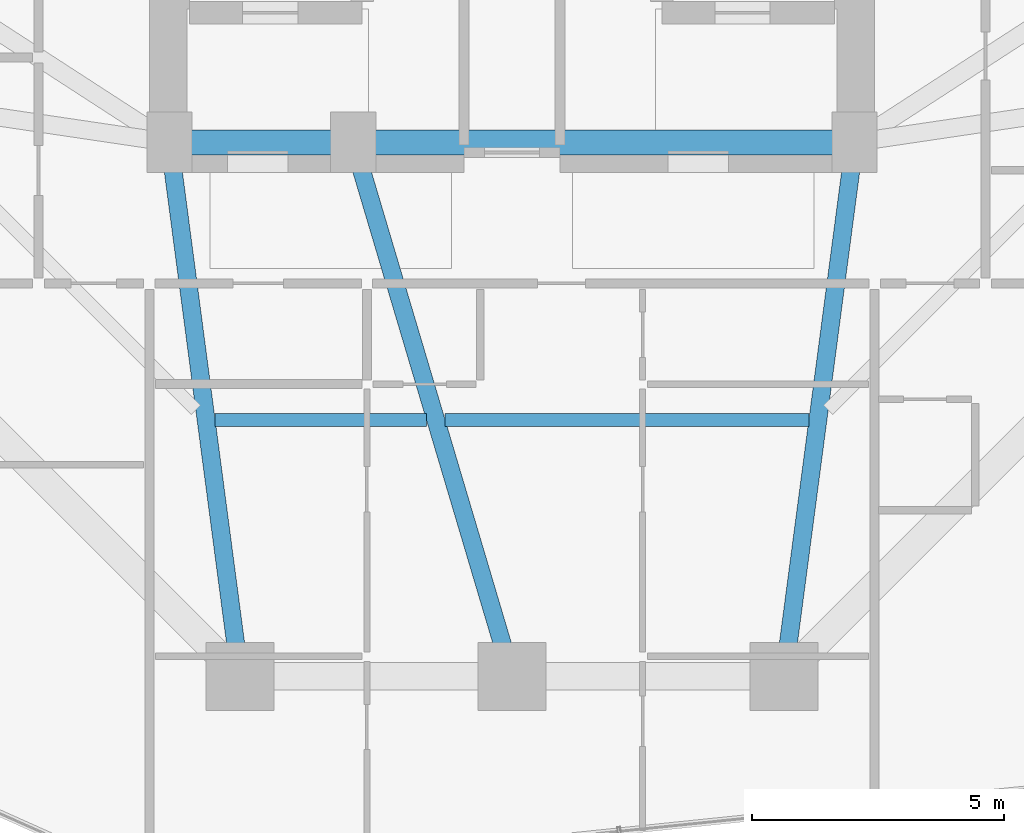
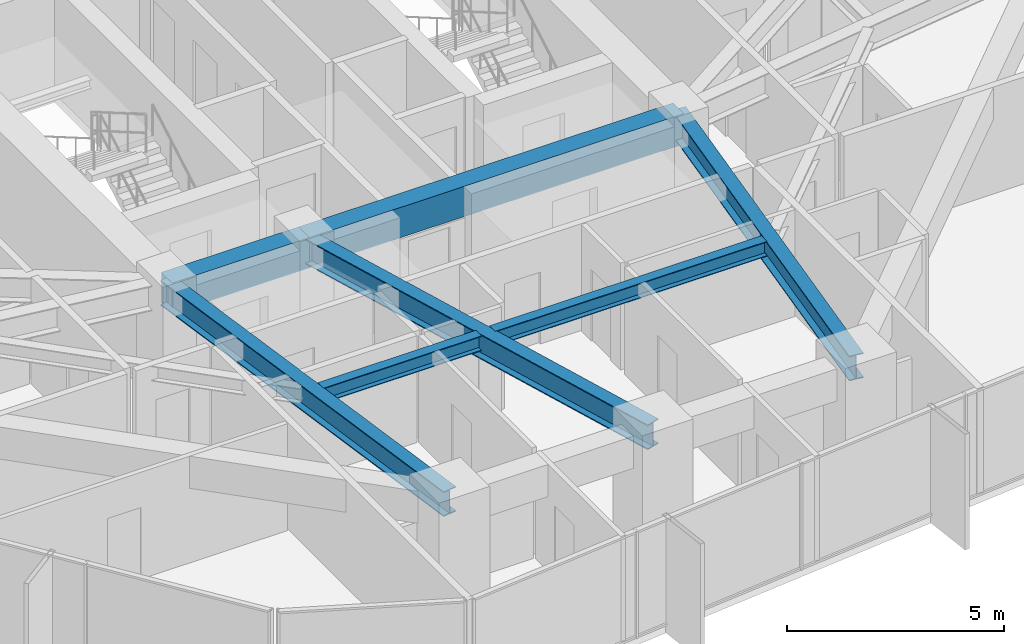
# One storey, part 9 of 37: 7 beams.
"""IFC4 building model written with IfcOpenShell, lengths in metres."""

from ifc_helpers import new_model, si_unit, direction, frame, origin, origin_2d, place, context, subcontext, project, spatial, rectangle, i_section, extrude, material, material_profile, profile_set, type_object, element, save


model = new_model("IFC4")

# Units and contexts
model_context = context("Model", 3, precision=1e-05, world=origin(), true_north=direction((0.0, 1.0)))
body_context = subcontext(model_context, "Body", "Model", "MODEL_VIEW")
ifc_project = project(units=[si_unit("LENGTHUNIT", "METRE"), si_unit("AREAUNIT", "SQUARE_METRE"), si_unit("VOLUMEUNIT", "CUBIC_METRE"), si_unit("PLANEANGLEUNIT", "RADIAN"), si_unit("MASSUNIT", "GRAM", prefix="KILO")], contexts=[model_context])

# Site, building, storey
site_placement = place(None, origin())
site = spatial("IfcSite", under=ifc_project, at=site_placement, CompositionType="ELEMENT")
building_placement = place(site_placement, origin())
building = spatial("IfcBuilding", under=site, at=building_placement, Name="Veraguas Prism Commons", CompositionType="ELEMENT")
storey_placement = place(building_placement, frame((0.0, 0.0, 43.550048828125)))
storey = spatial("IfcBuildingStorey", under=building, at=storey_placement, Name="L11", CompositionType="ELEMENT", Elevation=43.550048828125)

# Beams
ifc_material_1 = material(Name="Concrete C50/60", Category="concrete")
ifc_material_profile_1 = material_profile(ifc_material_1, rectangle(XDim=0.5, YDim=0.85009765625, at=origin_2d()), Name="RC500X850")
ifc_profile_set_1 = profile_set([ifc_material_profile_1], Name="Concrete C50/60")
beam_type_1 = type_object("IfcBeamType", Name="Core Coupling Beam RC 500x850", PredefinedType="BEAM", material=ifc_profile_set_1)
beam_1_placement = place(storey_placement, frame((17.199951171875, 17.0, 2.574951171875), z_axis=(1.0, 0.0, 0.0), x_axis=(0.0, 1.0, 0.0)))
element("IfcBeam", 1, at=beam_1_placement, inside=storey, type_object=beam_type_1, Name="Core Coupling Beam L11-CRS1", PredefinedType="BEAM", context=body_context, shape_type="SweptSolid", body=[
    extrude(rectangle(XDim=0.5, YDim=0.85009765625, at=origin_2d()), origin(), (0.0, 0.0, 1.0), 3.650146484375),
])
beam_2_placement = place(storey_placement, frame((20.85009765625, 17.0, 2.574951171875), z_axis=(1.0, 0.0, 0.0), x_axis=(0.0, 1.0, 0.0)))
element("IfcBeam", 2, at=beam_2_placement, inside=storey, type_object=beam_type_1, Name="Core Coupling Beam L11-CRS2", PredefinedType="BEAM", context=body_context, shape_type="SweptSolid", body=[
    extrude(rectangle(XDim=0.5, YDim=0.85009765625, at=origin_2d()), origin(), (0.0, 0.0, 1.0), 9.949951171875),
])
ifc_material_2 = material(Name="Steel ASTM A992 Grade 50", Category="steel")
ifc_material_profile_2 = material_profile(ifc_material_2, i_section(OverallWidth=0.260986328125, OverallDepth=0.419921875, WebThickness=0.01171875, FlangeThickness=0.019287109375, at=origin_2d()), Name="W410X114")
ifc_profile_set_2 = profile_set([ifc_material_profile_2], Name="Steel ASTM A992 Grade 50")
beam_type_2 = type_object("IfcBeamType", Name="Lower Floor Joist W410x114", PredefinedType="JOIST", material=ifc_profile_set_2)
beam_3_placement = place(storey_placement, frame((18.10546875, 11.488037109375, 2.7900390625), z_axis=(1.0, 0.0, 0.0), x_axis=(0.0, 1.0, 0.0)))
element("IfcBeam", 3, at=beam_3_placement, inside=storey, type_object=beam_type_2, Name="Composite Floor Joist L11-JS10", PredefinedType="JOIST", context=body_context, shape_type="SweptSolid", body=[
    extrude(i_section(OverallWidth=0.260986328125, OverallDepth=0.419921875, WebThickness=0.01171875, FlangeThickness=0.019287109375, at=origin_2d()), origin(), (0.0, 0.0, 1.0), 4.198974609375),
])
beam_4_placement = place(storey_placement, frame((22.671630859375, 11.488037109375, 2.7900390625), z_axis=(1.0, 0.0, 0.0), x_axis=(0.0, 1.0, 0.0)))
element("IfcBeam", 4, at=beam_4_placement, inside=storey, type_object=beam_type_2, Name="Composite Floor Joist L11-JS11", PredefinedType="JOIST", context=body_context, shape_type="SweptSolid", body=[
    extrude(i_section(OverallWidth=0.260986328125, OverallDepth=0.419921875, WebThickness=0.01171875, FlangeThickness=0.019287109375, at=origin_2d()), origin(), (0.0, 0.0, 1.0), 7.222900390625),
])
ifc_material_profile_3 = material_profile(ifc_material_2, i_section(OverallWidth=0.35595703125, OverallDepth=0.700927734375, WebThickness=0.016845703125, FlangeThickness=0.02734375, at=origin_2d()), Name="W690X240")
ifc_profile_set_3 = profile_set([ifc_material_profile_3], Name="Steel ASTM A992 Grade 50")
beam_type_3 = type_object("IfcBeamType", Name="Zone 1 Radial Girder W690x240", PredefinedType="BEAM", material=ifc_profile_set_3)
beam_5_placement = place(storey_placement, frame((18.60009765625, 6.39990234375, 2.6494140625), z_axis=(-0.130950648891, 0.991388888154, 0.0), x_axis=(-0.991388888154, -0.130950648891, 0.0)))
element("IfcBeam", 5, at=beam_5_placement, inside=storey, type_object=beam_type_3, Name="Radial Floor Girder L11-RD10", PredefinedType="BEAM", context=body_context, shape_type="SweptSolid", body=[
    extrude(i_section(OverallWidth=0.35595703125, OverallDepth=0.700927734375, WebThickness=0.016845703125, FlangeThickness=0.02734375, at=origin_2d()), origin(), (0.0, 0.0, 1.0), 10.692138671875),
])
beam_6_placement = place(storey_placement, frame((24.0, 6.39990234375, 2.6494140625), z_axis=(-0.28484745997, 0.958572858237, 0.0), x_axis=(-0.958572858237, -0.28484745997, 0.0)))
element("IfcBeam", 6, at=beam_6_placement, inside=storey, type_object=beam_type_3, Name="Radial Floor Girder L11-RD11", PredefinedType="BEAM", context=body_context, shape_type="SweptSolid", body=[
    extrude(i_section(OverallWidth=0.35595703125, OverallDepth=0.700927734375, WebThickness=0.016845703125, FlangeThickness=0.02734375, at=origin_2d()), origin(), (0.0, 0.0, 1.0), 11.05810546875),
])
beam_7_placement = place(storey_placement, frame((29.39990234375, 6.39990234375, 2.6494140625), z_axis=(0.130950648891, 0.991388888154, 0.0), x_axis=(-0.991388888154, 0.130950648891, 0.0)))
element("IfcBeam", 7, at=beam_7_placement, inside=storey, type_object=beam_type_3, Name="Radial Floor Girder L11-RD12", PredefinedType="BEAM", context=body_context, shape_type="SweptSolid", body=[
    extrude(i_section(OverallWidth=0.35595703125, OverallDepth=0.700927734375, WebThickness=0.016845703125, FlangeThickness=0.02734375, at=origin_2d()), origin(), (0.0, 0.0, 1.0), 10.692138671875),
])

save(model, "model.ifc")
